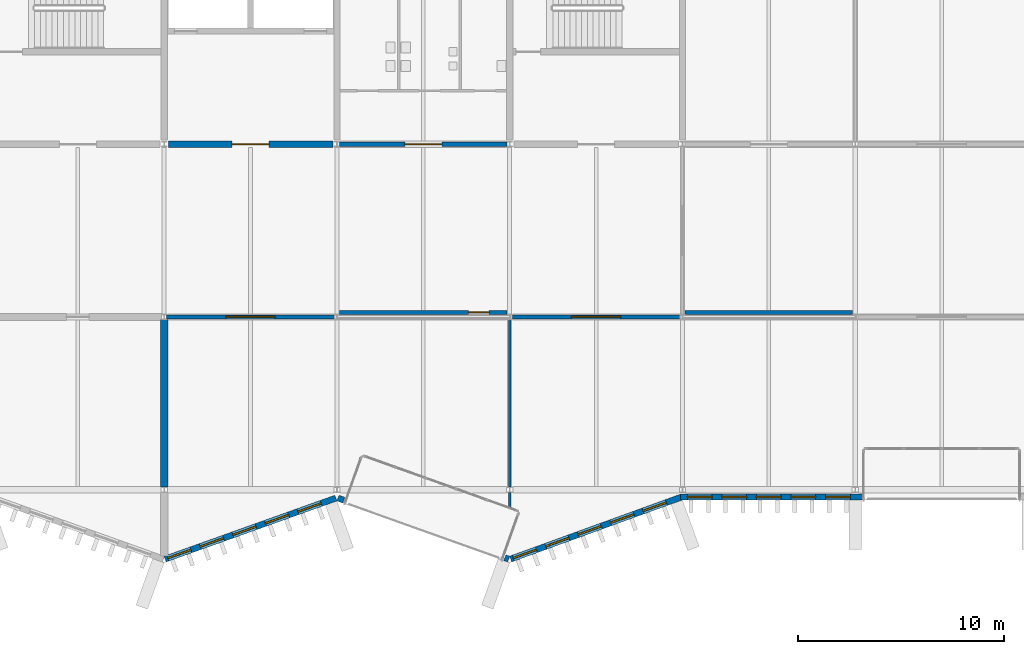
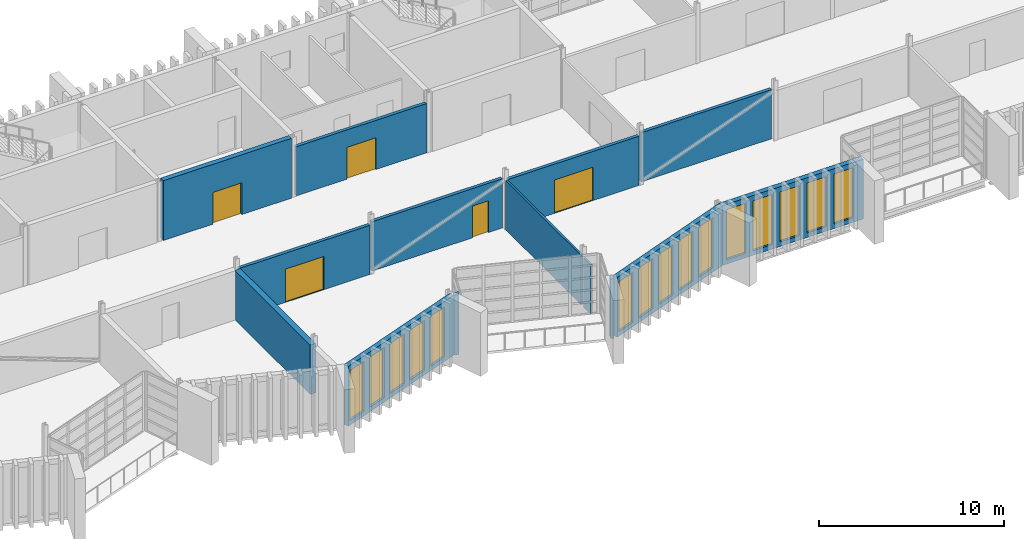
# One storey, part 55 of 88: 15 windows, 14 walls, 5 doors, 20 openings.
"""IFC4 building model written with IfcOpenShell, lengths in metres."""

from ifc_helpers import new_model, si_unit, direction, frame, frame_2d, origin, place, context, subcontext, project, spatial, rectangle, extrude, material, layer, layer_set, type_object, element, fill, save


model = new_model("IFC4")

# Units and contexts
model_context = context("Model", 3, precision=1e-05, world=origin(), true_north=direction((0.0, 1.0)))
body_context = subcontext(model_context, "Body", "Model", "MODEL_VIEW")
ifc_project = project(units=[si_unit("LENGTHUNIT", "METRE"), si_unit("AREAUNIT", "SQUARE_METRE"), si_unit("VOLUMEUNIT", "CUBIC_METRE"), si_unit("PLANEANGLEUNIT", "RADIAN"), si_unit("MASSUNIT", "GRAM", prefix="KILO")], contexts=[model_context])

# Site, building, storey
site_placement = place(None, origin())
site = spatial("IfcSite", under=ifc_project, at=site_placement, CompositionType="ELEMENT")
building_placement = place(site_placement, origin())
building = spatial("IfcBuilding", under=site, at=building_placement, Name="Cresset Court Congress Hotel", CompositionType="ELEMENT")
storey_placement = place(building_placement, frame((0.0, 0.0, 14.39990234375)))
storey = spatial("IfcBuildingStorey", under=building, at=storey_placement, Name="L03", CompositionType="ELEMENT", Elevation=14.39990234375)

# Wall
ifc_material_1 = material(Name="Double gypsum board leaves on steel studs with mineral wool", Category="steel")
ifc_layer_1 = layer(ifc_material_1, 0.35009765625)
ifc_layer_set_1 = layer_set([ifc_layer_1], Name="Acoustic double-leaf boardroom wall 350")
wall_type_1 = type_object("IfcWallType", Name="Acoustic double-leaf boardroom wall 350", PredefinedType="PARTITIONING", material=ifc_layer_set_1)
wall_1_placement = place(storey_placement, frame((42.0, 0.125, 0.0), z_axis=(0.0, 0.0, 1.0), x_axis=(0.0, 1.0, 0.0)))
element("IfcWall", 1, at=wall_1_placement, inside=storey, type_object=wall_type_1, Name="Boardroom acoustic wall", PredefinedType="PARTITIONING", context=body_context, shape_type="SweptSolid", body=[
    extrude(rectangle(XDim=8.14990234375, YDim=0.35009765625, at=frame_2d((4.074951171875, 0.0))), origin(), (0.0, 0.0, 1.0), 3.25),
])

# Wall, opening, door
ifc_material_2 = material(Name="Concrete C50", Category="concrete")
ifc_layer_2 = layer(ifc_material_2, 0.300048828125)
ifc_layer_set_2 = layer_set([ifc_layer_2], Name="Core wall 300 Concrete C50")
wall_type_2 = type_object("IfcWallType", Name="Core wall 300 Concrete C50", PredefinedType="SHEAR", material=ifc_layer_set_2)
wall_2_placement = place(storey_placement, frame((42.199951171875, 16.800048828125, 0.0), z_axis=(0.0, 0.0, 1.0), x_axis=(1.0, 0.0, 0.0)))
wall_2 = element("IfcWall", 2, at=wall_2_placement, inside=storey, type_object=wall_type_2, Name="Core wall LC-B1", PredefinedType="SHEAR", context=body_context, shape_type="SweptSolid", body=[
    extrude(rectangle(XDim=8.0, YDim=0.300048828125, at=frame_2d((4.0, 0.0))), origin(), (0.0, 0.0, 1.0), 3.9501953125),
])
opening_1_placement = place(wall_2_placement, frame((3.10009765625, 0.0, 0.0)))
opening_1 = element("IfcOpeningElement", 3, at=opening_1_placement, cuts=wall_2, Name="Opening DB-03-35", PredefinedType="OPENING", context=body_context, shape_type="SweptSolid", body=[
    extrude(rectangle(XDim=1.800048828125, YDim=2.10009765625, at=frame_2d((0.89990234375, 1.050048828125))), frame((0.0, 0.159912109375, 0.0), z_axis=(0.0, -1.0, 0.0), x_axis=(1.0, 0.0, 0.0)), (0.0, 0.0, 1.0), 0.320068359375),
])
ifc_material_3 = material(Name="Timber and steel frame", Category="steel")
door_type_1 = type_object("IfcDoorType", Name="Lobby fire door FD60 double 1800x2100", OperationType="DOUBLE_DOOR_SINGLE_SWING", PredefinedType="DOOR", material=ifc_material_3)
door_1_placement = place(opening_1_placement, origin())
door_1 = element("IfcDoor", 4, at=door_1_placement, inside=storey, type_object=door_type_1, Name="Lift lobby door LC-B1", OperationType="DOUBLE_DOOR_SINGLE_SWING", OverallHeight=2.10009765625, OverallWidth=1.800048828125, PredefinedType="DOOR", context=body_context, shape_type="SweptSolid", body=[
    extrude(rectangle(XDim=1.800048828125, YDim=2.10009765625, at=frame_2d((0.89990234375, 1.050048828125))), frame((0.0, 0.02490234375, 0.0), z_axis=(0.0, -1.0, 0.0), x_axis=(1.0, 0.0, 0.0)), (0.0, 0.0, 1.0), 0.050048828125),
])
fill(opening_1, door_1)

# Wall, openings, windows
ifc_material_4 = material(Name="Concrete C40", Category="concrete")
ifc_layer_3 = layer(ifc_material_4, 0.300048828125)
ifc_layer_set_3 = layer_set([ifc_layer_3], Name="External wall 300 Concrete C40")
wall_type_3 = type_object("IfcWallType", Name="External wall 300 Concrete C40", PredefinedType="SOLIDWALL", material=ifc_layer_set_3)
wall_3_placement = place(storey_placement, frame((67.10009765625, -0.35009765625, 0.0), z_axis=(0.0, 0.0, 1.0), x_axis=(1.0, 0.0, 0.0)))
wall_3 = element("IfcWall", 5, at=wall_3_placement, inside=storey, type_object=wall_type_3, Name="External wall", PredefinedType="SOLIDWALL", context=body_context, shape_type="SweptSolid", body=[
    extrude(rectangle(XDim=8.89990234375, YDim=0.300048828125, at=frame_2d((4.449951171875, 0.0))), origin(), (0.0, 0.0, 1.0), 3.9501953125),
])
opening_2_placement = place(wall_3_placement, frame((0.340087890625, 0.0, 0.300048828125)))
opening_2 = element("IfcOpeningElement", 6, at=opening_2_placement, cuts=wall_3, Name="Opening NB-03-01", PredefinedType="OPENING", context=body_context, shape_type="SweptSolid", body=[
    extrude(rectangle(XDim=1.199951171875, YDim=3.300048828125, at=frame_2d((0.60009765625, 1.64990234375))), frame((0.0, 0.159912109375, 0.0), z_axis=(0.0, -1.0, 0.0), x_axis=(1.0, 0.0, 0.0)), (0.0, 0.0, 1.0), 0.320068359375),
])
opening_3_placement = place(wall_3_placement, frame((2.02001953125, 0.0, 0.300048828125)))
opening_3 = element("IfcOpeningElement", 7, at=opening_3_placement, cuts=wall_3, Name="Opening NB-03-02", PredefinedType="OPENING", context=body_context, shape_type="SweptSolid", body=[
    extrude(rectangle(XDim=1.199951171875, YDim=3.300048828125, at=frame_2d((0.60009765625, 1.64990234375))), frame((0.0, 0.159912109375, 0.0), z_axis=(0.0, -1.0, 0.0), x_axis=(1.0, 0.0, 0.0)), (0.0, 0.0, 1.0), 0.320068359375),
])
opening_4_placement = place(wall_3_placement, frame((3.699951171875, 0.0, 0.300048828125)))
opening_4 = element("IfcOpeningElement", 8, at=opening_4_placement, cuts=wall_3, Name="Opening NB-03-03", PredefinedType="OPENING", context=body_context, shape_type="SweptSolid", body=[
    extrude(rectangle(XDim=1.199951171875, YDim=3.300048828125, at=frame_2d((0.60009765625, 1.64990234375))), frame((0.0, 0.159912109375, 0.0), z_axis=(0.0, -1.0, 0.0), x_axis=(1.0, 0.0, 0.0)), (0.0, 0.0, 1.0), 0.320068359375),
])
opening_5_placement = place(wall_3_placement, frame((5.3798828125, 0.0, 0.300048828125)))
opening_5 = element("IfcOpeningElement", 9, at=opening_5_placement, cuts=wall_3, Name="Opening NB-03-04", PredefinedType="OPENING", context=body_context, shape_type="SweptSolid", body=[
    extrude(rectangle(XDim=1.199951171875, YDim=3.300048828125, at=frame_2d((0.60009765625, 1.64990234375))), frame((0.0, 0.159912109375, 0.0), z_axis=(0.0, -1.0, 0.0), x_axis=(1.0, 0.0, 0.0)), (0.0, 0.0, 1.0), 0.320068359375),
])
opening_6_placement = place(wall_3_placement, frame((7.06005859375, 0.0, 0.300048828125)))
opening_6 = element("IfcOpeningElement", 10, at=opening_6_placement, cuts=wall_3, Name="Opening NB-03-05", PredefinedType="OPENING", context=body_context, shape_type="SweptSolid", body=[
    extrude(rectangle(XDim=1.199951171875, YDim=3.300048828125, at=frame_2d((0.60009765625, 1.64990234375))), frame((0.0, 0.159912109375, 0.0), z_axis=(0.0, -1.0, 0.0), x_axis=(1.0, 0.0, 0.0)), (0.0, 0.0, 1.0), 0.320068359375),
])
ifc_material_5 = material(Name="Aluminium frame with double glazing", Category="aluminium")
window_type = type_object("IfcWindowType", Name="Window 1200x3300", PartitioningType="TRIPLE_PANEL_VERTICAL", PredefinedType="WINDOW", material=ifc_material_5)
window_1_placement = place(opening_2_placement, origin())
window_1 = element("IfcWindow", 11, at=window_1_placement, inside=storey, type_object=window_type, Name="Window NB-03-01", OverallHeight=3.300048828125, OverallWidth=1.199951171875, PartitioningType="TRIPLE_PANEL_VERTICAL", PredefinedType="WINDOW", context=body_context, shape_type="SweptSolid", body=[
    extrude(rectangle(XDim=1.199951171875, YDim=3.300048828125, at=frame_2d((0.60009765625, 1.64990234375))), frame((0.0, 0.030029296875, 0.0), z_axis=(0.0, -1.0, 0.0), x_axis=(1.0, 0.0, 0.0)), (0.0, 0.0, 1.0), 0.06005859375),
])
fill(opening_2, window_1)
window_2_placement = place(opening_3_placement, origin())
window_2 = element("IfcWindow", 12, at=window_2_placement, inside=storey, type_object=window_type, Name="Window NB-03-02", OverallHeight=3.300048828125, OverallWidth=1.199951171875, PartitioningType="TRIPLE_PANEL_VERTICAL", PredefinedType="WINDOW", context=body_context, shape_type="SweptSolid", body=[
    extrude(rectangle(XDim=1.199951171875, YDim=3.300048828125, at=frame_2d((0.60009765625, 1.64990234375))), frame((0.0, 0.030029296875, 0.0), z_axis=(0.0, -1.0, 0.0), x_axis=(1.0, 0.0, 0.0)), (0.0, 0.0, 1.0), 0.06005859375),
])
fill(opening_3, window_2)
window_3_placement = place(opening_4_placement, origin())
window_3 = element("IfcWindow", 13, at=window_3_placement, inside=storey, type_object=window_type, Name="Window NB-03-03", OverallHeight=3.300048828125, OverallWidth=1.199951171875, PartitioningType="TRIPLE_PANEL_VERTICAL", PredefinedType="WINDOW", context=body_context, shape_type="SweptSolid", body=[
    extrude(rectangle(XDim=1.199951171875, YDim=3.300048828125, at=frame_2d((0.60009765625, 1.64990234375))), frame((0.0, 0.030029296875, 0.0), z_axis=(0.0, -1.0, 0.0), x_axis=(1.0, 0.0, 0.0)), (0.0, 0.0, 1.0), 0.06005859375),
])
fill(opening_4, window_3)
window_4_placement = place(opening_5_placement, origin())
window_4 = element("IfcWindow", 14, at=window_4_placement, inside=storey, type_object=window_type, Name="Window NB-03-04", OverallHeight=3.300048828125, OverallWidth=1.199951171875, PartitioningType="TRIPLE_PANEL_VERTICAL", PredefinedType="WINDOW", context=body_context, shape_type="SweptSolid", body=[
    extrude(rectangle(XDim=1.199951171875, YDim=3.300048828125, at=frame_2d((0.60009765625, 1.64990234375))), frame((0.0, 0.030029296875, 0.0), z_axis=(0.0, -1.0, 0.0), x_axis=(1.0, 0.0, 0.0)), (0.0, 0.0, 1.0), 0.06005859375),
])
fill(opening_5, window_4)
window_5_placement = place(opening_6_placement, origin())
window_5 = element("IfcWindow", 15, at=window_5_placement, inside=storey, type_object=window_type, Name="Window NB-03-05", OverallHeight=3.300048828125, OverallWidth=1.199951171875, PartitioningType="TRIPLE_PANEL_VERTICAL", PredefinedType="WINDOW", context=body_context, shape_type="SweptSolid", body=[
    extrude(rectangle(XDim=1.199951171875, YDim=3.300048828125, at=frame_2d((0.60009765625, 1.64990234375))), frame((0.0, 0.030029296875, 0.0), z_axis=(0.0, -1.0, 0.0), x_axis=(1.0, 0.0, 0.0)), (0.0, 0.0, 1.0), 0.06005859375),
])
fill(opening_6, window_5)

wall_4_placement = place(storey_placement, frame((42.050537109375, -3.372802734375, 0.0), z_axis=(0.0, 0.0, 1.0), x_axis=(0.941736270411, 0.336352191894, 0.0)))
wall_4 = element("IfcWall", 16, at=wall_4_placement, inside=storey, type_object=wall_type_3, Name="External wall", PredefinedType="SOLIDWALL", context=body_context, shape_type="SweptSolid", body=[
    extrude(rectangle(XDim=8.8125, YDim=0.300048828125, at=frame_2d((4.40625, 0.0))), origin(), (0.0, 0.0, 1.0), 3.9501953125),
])
opening_7_placement = place(wall_4_placement, frame((0.1328125, 0.0, 0.300048828125)))
opening_7 = element("IfcOpeningElement", 17, at=opening_7_placement, cuts=wall_4, Name="Opening NB-03-24", PredefinedType="OPENING", context=body_context, shape_type="SweptSolid", body=[
    extrude(rectangle(XDim=1.199951171875, YDim=3.300048828125, at=frame_2d((0.60009765625, 1.64990234375))), frame((0.0, 0.159912109375, 0.0), z_axis=(0.0, -1.0, 0.0), x_axis=(1.0, 0.0, 0.0)), (0.0, 0.0, 1.0), 0.320068359375),
])
opening_8_placement = place(wall_4_placement, frame((1.81298828125, 0.0, 0.300048828125)))
opening_8 = element("IfcOpeningElement", 18, at=opening_8_placement, cuts=wall_4, Name="Opening NB-03-25", PredefinedType="OPENING", context=body_context, shape_type="SweptSolid", body=[
    extrude(rectangle(XDim=1.199951171875, YDim=3.300048828125, at=frame_2d((0.60009765625, 1.64990234375))), frame((0.0, 0.159912109375, 0.0), z_axis=(0.0, -1.0, 0.0), x_axis=(1.0, 0.0, 0.0)), (0.0, 0.0, 1.0), 0.320068359375),
])
opening_9_placement = place(wall_4_placement, frame((3.492919921875, 0.0, 0.300048828125)))
opening_9 = element("IfcOpeningElement", 19, at=opening_9_placement, cuts=wall_4, Name="Opening NB-03-26", PredefinedType="OPENING", context=body_context, shape_type="SweptSolid", body=[
    extrude(rectangle(XDim=1.199951171875, YDim=3.300048828125, at=frame_2d((0.60009765625, 1.64990234375))), frame((0.0, 0.159912109375, 0.0), z_axis=(0.0, -1.0, 0.0), x_axis=(1.0, 0.0, 0.0)), (0.0, 0.0, 1.0), 0.320068359375),
])
opening_10_placement = place(wall_4_placement, frame((5.1728515625, 0.0, 0.300048828125)))
opening_10 = element("IfcOpeningElement", 20, at=opening_10_placement, cuts=wall_4, Name="Opening NB-03-27", PredefinedType="OPENING", context=body_context, shape_type="SweptSolid", body=[
    extrude(rectangle(XDim=1.199951171875, YDim=3.300048828125, at=frame_2d((0.60009765625, 1.64990234375))), frame((0.0, 0.159912109375, 0.0), z_axis=(0.0, -1.0, 0.0), x_axis=(1.0, 0.0, 0.0)), (0.0, 0.0, 1.0), 0.320068359375),
])
opening_11_placement = place(wall_4_placement, frame((6.852783203125, 0.0, 0.300048828125)))
opening_11 = element("IfcOpeningElement", 21, at=opening_11_placement, cuts=wall_4, Name="Opening NB-03-28", PredefinedType="OPENING", context=body_context, shape_type="SweptSolid", body=[
    extrude(rectangle(XDim=1.199951171875, YDim=3.300048828125, at=frame_2d((0.60009765625, 1.64990234375))), frame((0.0, 0.159912109375, 0.0), z_axis=(0.0, -1.0, 0.0), x_axis=(1.0, 0.0, 0.0)), (0.0, 0.0, 1.0), 0.320068359375),
])
window_6_placement = place(opening_7_placement, origin())
window_6 = element("IfcWindow", 22, at=window_6_placement, inside=storey, type_object=window_type, Name="Window NB-03-24", OverallHeight=3.300048828125, OverallWidth=1.199951171875, PartitioningType="TRIPLE_PANEL_VERTICAL", PredefinedType="WINDOW", context=body_context, shape_type="SweptSolid", body=[
    extrude(rectangle(XDim=1.199951171875, YDim=3.300048828125, at=frame_2d((0.60009765625, 1.64990234375))), frame((0.0, 0.030029296875, 0.0), z_axis=(0.0, -1.0, 0.0), x_axis=(1.0, 0.0, 0.0)), (0.0, 0.0, 1.0), 0.06005859375),
])
fill(opening_7, window_6)
window_7_placement = place(opening_8_placement, origin())
window_7 = element("IfcWindow", 23, at=window_7_placement, inside=storey, type_object=window_type, Name="Window NB-03-25", OverallHeight=3.300048828125, OverallWidth=1.199951171875, PartitioningType="TRIPLE_PANEL_VERTICAL", PredefinedType="WINDOW", context=body_context, shape_type="SweptSolid", body=[
    extrude(rectangle(XDim=1.199951171875, YDim=3.300048828125, at=frame_2d((0.60009765625, 1.64990234375))), frame((0.0, 0.030029296875, 0.0), z_axis=(0.0, -1.0, 0.0), x_axis=(1.0, 0.0, 0.0)), (0.0, 0.0, 1.0), 0.06005859375),
])
fill(opening_8, window_7)
window_8_placement = place(opening_9_placement, origin())
window_8 = element("IfcWindow", 24, at=window_8_placement, inside=storey, type_object=window_type, Name="Window NB-03-26", OverallHeight=3.300048828125, OverallWidth=1.199951171875, PartitioningType="TRIPLE_PANEL_VERTICAL", PredefinedType="WINDOW", context=body_context, shape_type="SweptSolid", body=[
    extrude(rectangle(XDim=1.199951171875, YDim=3.300048828125, at=frame_2d((0.60009765625, 1.64990234375))), frame((0.0, 0.030029296875, 0.0), z_axis=(0.0, -1.0, 0.0), x_axis=(1.0, 0.0, 0.0)), (0.0, 0.0, 1.0), 0.06005859375),
])
fill(opening_9, window_8)
window_9_placement = place(opening_10_placement, origin())
window_9 = element("IfcWindow", 25, at=window_9_placement, inside=storey, type_object=window_type, Name="Window NB-03-27", OverallHeight=3.300048828125, OverallWidth=1.199951171875, PartitioningType="TRIPLE_PANEL_VERTICAL", PredefinedType="WINDOW", context=body_context, shape_type="SweptSolid", body=[
    extrude(rectangle(XDim=1.199951171875, YDim=3.300048828125, at=frame_2d((0.60009765625, 1.64990234375))), frame((0.0, 0.030029296875, 0.0), z_axis=(0.0, -1.0, 0.0), x_axis=(1.0, 0.0, 0.0)), (0.0, 0.0, 1.0), 0.06005859375),
])
fill(opening_10, window_9)
window_10_placement = place(opening_11_placement, origin())
window_10 = element("IfcWindow", 26, at=window_10_placement, inside=storey, type_object=window_type, Name="Window NB-03-28", OverallHeight=3.300048828125, OverallWidth=1.199951171875, PartitioningType="TRIPLE_PANEL_VERTICAL", PredefinedType="WINDOW", context=body_context, shape_type="SweptSolid", body=[
    extrude(rectangle(XDim=1.199951171875, YDim=3.300048828125, at=frame_2d((0.60009765625, 1.64990234375))), frame((0.0, 0.030029296875, 0.0), z_axis=(0.0, -1.0, 0.0), x_axis=(1.0, 0.0, 0.0)), (0.0, 0.0, 1.0), 0.06005859375),
])
fill(opening_11, window_10)

# Walls
wall_5_placement = place(storey_placement, frame((50.450439453125, -0.40869140625, 0.0), z_axis=(0.0, 0.0, 1.0), x_axis=(0.941797147708, -0.336181695768, 0.0)))
element("IfcWall", 27, at=wall_5_placement, inside=storey, type_object=wall_type_3, Name="External wall", PredefinedType="SOLIDWALL", context=body_context, shape_type="SweptSolid", body=[
    extrude(rectangle(XDim=0.300048828125, YDim=0.300048828125, at=frame_2d((0.14990234375, 0.0))), origin(), (0.0, 0.0, 1.0), 3.9501953125),
])
wall_6_placement = place(storey_placement, frame((58.56787109375, -3.307861328125, 0.0), z_axis=(0.0, 0.0, 1.0), x_axis=(0.942000485661, -0.335611509061, 0.0)))
element("IfcWall", 28, at=wall_6_placement, inside=storey, type_object=wall_type_3, Name="External wall", PredefinedType="SOLIDWALL", context=body_context, shape_type="SweptSolid", body=[
    extrude(rectangle(XDim=0.192138671875, YDim=0.300048828125, at=frame_2d((0.09619140625, 0.0))), origin(), (0.0, 0.0, 1.0), 3.9501953125),
])

# Wall, openings, windows
wall_7_placement = place(storey_placement, frame((58.850341796875, -3.3720703125, 0.0), z_axis=(0.0, 0.0, 1.0), x_axis=(0.939953187971, 0.341303390584, 0.0)))
wall_7 = element("IfcWall", 29, at=wall_7_placement, inside=storey, type_object=wall_type_3, Name="External wall", PredefinedType="SOLIDWALL", context=body_context, shape_type="SweptSolid", body=[
    extrude(rectangle(XDim=8.828369140625, YDim=0.300048828125, at=frame_2d((4.4140625, 0.0))), origin(), (0.0, 0.0, 1.0), 3.9501953125),
])
opening_12_placement = place(wall_7_placement, frame((0.132080078125, 0.0, 0.300048828125)))
opening_12 = element("IfcOpeningElement", 30, at=opening_12_placement, cuts=wall_7, Name="Opening NB-03-29", PredefinedType="OPENING", context=body_context, shape_type="SweptSolid", body=[
    extrude(rectangle(XDim=1.199951171875, YDim=3.300048828125, at=frame_2d((0.60009765625, 1.64990234375))), frame((0.0, 0.159912109375, 0.0), z_axis=(0.0, -1.0, 0.0), x_axis=(1.0, 0.0, 0.0)), (0.0, 0.0, 1.0), 0.320068359375),
])
opening_13_placement = place(wall_7_placement, frame((1.81201171875, 0.0, 0.300048828125)))
opening_13 = element("IfcOpeningElement", 31, at=opening_13_placement, cuts=wall_7, Name="Opening NB-03-30", PredefinedType="OPENING", context=body_context, shape_type="SweptSolid", body=[
    extrude(rectangle(XDim=1.199951171875, YDim=3.300048828125, at=frame_2d((0.60009765625, 1.64990234375))), frame((0.0, 0.159912109375, 0.0), z_axis=(0.0, -1.0, 0.0), x_axis=(1.0, 0.0, 0.0)), (0.0, 0.0, 1.0), 0.320068359375),
])
opening_14_placement = place(wall_7_placement, frame((3.491943359375, 0.0, 0.300048828125)))
opening_14 = element("IfcOpeningElement", 32, at=opening_14_placement, cuts=wall_7, Name="Opening NB-03-31", PredefinedType="OPENING", context=body_context, shape_type="SweptSolid", body=[
    extrude(rectangle(XDim=1.199951171875, YDim=3.300048828125, at=frame_2d((0.60009765625, 1.64990234375))), frame((0.0, 0.159912109375, 0.0), z_axis=(0.0, -1.0, 0.0), x_axis=(1.0, 0.0, 0.0)), (0.0, 0.0, 1.0), 0.320068359375),
])
opening_15_placement = place(wall_7_placement, frame((5.172119140625, 0.0, 0.300048828125)))
opening_15 = element("IfcOpeningElement", 33, at=opening_15_placement, cuts=wall_7, Name="Opening NB-03-32", PredefinedType="OPENING", context=body_context, shape_type="SweptSolid", body=[
    extrude(rectangle(XDim=1.199951171875, YDim=3.300048828125, at=frame_2d((0.60009765625, 1.64990234375))), frame((0.0, 0.159912109375, 0.0), z_axis=(0.0, -1.0, 0.0), x_axis=(1.0, 0.0, 0.0)), (0.0, 0.0, 1.0), 0.320068359375),
])
opening_16_placement = place(wall_7_placement, frame((6.85205078125, 0.0, 0.300048828125)))
opening_16 = element("IfcOpeningElement", 34, at=opening_16_placement, cuts=wall_7, Name="Opening NB-03-33", PredefinedType="OPENING", context=body_context, shape_type="SweptSolid", body=[
    extrude(rectangle(XDim=1.199951171875, YDim=3.300048828125, at=frame_2d((0.60009765625, 1.64990234375))), frame((0.0, 0.159912109375, 0.0), z_axis=(0.0, -1.0, 0.0), x_axis=(1.0, 0.0, 0.0)), (0.0, 0.0, 1.0), 0.320068359375),
])
window_11_placement = place(opening_12_placement, origin())
window_11 = element("IfcWindow", 35, at=window_11_placement, inside=storey, type_object=window_type, Name="Window NB-03-29", OverallHeight=3.300048828125, OverallWidth=1.199951171875, PartitioningType="TRIPLE_PANEL_VERTICAL", PredefinedType="WINDOW", context=body_context, shape_type="SweptSolid", body=[
    extrude(rectangle(XDim=1.199951171875, YDim=3.300048828125, at=frame_2d((0.60009765625, 1.64990234375))), frame((0.0, 0.030029296875, 0.0), z_axis=(0.0, -1.0, 0.0), x_axis=(1.0, 0.0, 0.0)), (0.0, 0.0, 1.0), 0.06005859375),
])
fill(opening_12, window_11)
window_12_placement = place(opening_13_placement, origin())
window_12 = element("IfcWindow", 36, at=window_12_placement, inside=storey, type_object=window_type, Name="Window NB-03-30", OverallHeight=3.300048828125, OverallWidth=1.199951171875, PartitioningType="TRIPLE_PANEL_VERTICAL", PredefinedType="WINDOW", context=body_context, shape_type="SweptSolid", body=[
    extrude(rectangle(XDim=1.199951171875, YDim=3.300048828125, at=frame_2d((0.60009765625, 1.64990234375))), frame((0.0, 0.030029296875, 0.0), z_axis=(0.0, -1.0, 0.0), x_axis=(1.0, 0.0, 0.0)), (0.0, 0.0, 1.0), 0.06005859375),
])
fill(opening_13, window_12)
window_13_placement = place(opening_14_placement, origin())
window_13 = element("IfcWindow", 37, at=window_13_placement, inside=storey, type_object=window_type, Name="Window NB-03-31", OverallHeight=3.300048828125, OverallWidth=1.199951171875, PartitioningType="TRIPLE_PANEL_VERTICAL", PredefinedType="WINDOW", context=body_context, shape_type="SweptSolid", body=[
    extrude(rectangle(XDim=1.199951171875, YDim=3.300048828125, at=frame_2d((0.60009765625, 1.64990234375))), frame((0.0, 0.030029296875, 0.0), z_axis=(0.0, -1.0, 0.0), x_axis=(1.0, 0.0, 0.0)), (0.0, 0.0, 1.0), 0.06005859375),
])
fill(opening_14, window_13)
window_14_placement = place(opening_15_placement, origin())
window_14 = element("IfcWindow", 38, at=window_14_placement, inside=storey, type_object=window_type, Name="Window NB-03-32", OverallHeight=3.300048828125, OverallWidth=1.199951171875, PartitioningType="TRIPLE_PANEL_VERTICAL", PredefinedType="WINDOW", context=body_context, shape_type="SweptSolid", body=[
    extrude(rectangle(XDim=1.199951171875, YDim=3.300048828125, at=frame_2d((0.60009765625, 1.64990234375))), frame((0.0, 0.030029296875, 0.0), z_axis=(0.0, -1.0, 0.0), x_axis=(1.0, 0.0, 0.0)), (0.0, 0.0, 1.0), 0.06005859375),
])
fill(opening_15, window_14)
window_15_placement = place(opening_16_placement, origin())
window_15 = element("IfcWindow", 39, at=window_15_placement, inside=storey, type_object=window_type, Name="Window NB-03-33", OverallHeight=3.300048828125, OverallWidth=1.199951171875, PartitioningType="TRIPLE_PANEL_VERTICAL", PredefinedType="WINDOW", context=body_context, shape_type="SweptSolid", body=[
    extrude(rectangle(XDim=1.199951171875, YDim=3.300048828125, at=frame_2d((0.60009765625, 1.64990234375))), frame((0.0, 0.030029296875, 0.0), z_axis=(0.0, -1.0, 0.0), x_axis=(1.0, 0.0, 0.0)), (0.0, 0.0, 1.0), 0.06005859375),
])
fill(opening_16, window_15)

# Wall, opening, door
ifc_material_6 = material(Name="Gypsum board on steel studs", Category="steel")
ifc_layer_4 = layer(ifc_material_6, 0.199951171875)
ifc_layer_set_4 = layer_set([ifc_layer_4], Name="Foyer wall 200")
wall_type_4 = type_object("IfcWallType", Name="Foyer wall 200", PredefinedType="PARTITIONING", material=ifc_layer_set_4)
wall_8_placement = place(storey_placement, frame((42.125, 8.39990234375, 0.0), z_axis=(0.0, 0.0, 1.0), x_axis=(1.0, 0.0, 0.0)))
wall_8 = element("IfcWall", 40, at=wall_8_placement, inside=storey, type_object=wall_type_4, Name="Foyer wall", PredefinedType="PARTITIONING", context=body_context, shape_type="SweptSolid", body=[
    extrude(rectangle(XDim=8.14990234375, YDim=0.199951171875, at=frame_2d((4.074951171875, 0.0))), origin(), (0.0, 0.0, 1.0), 3.25),
])
opening_17_placement = place(wall_8_placement, frame((2.875, 0.0, 0.0)))
opening_17 = element("IfcOpeningElement", 41, at=opening_17_placement, cuts=wall_8, Name="Opening DB-03-05", PredefinedType="OPENING", context=body_context, shape_type="SweptSolid", body=[
    extrude(rectangle(XDim=2.39990234375, YDim=2.199951171875, at=frame_2d((1.199951171875, 1.10009765625))), frame((0.0, 0.10986328125, 0.0), z_axis=(0.0, -1.0, 0.0), x_axis=(1.0, 0.0, 0.0)), (0.0, 0.0, 1.0), 0.219970703125),
])
ifc_material_7 = material(Name="Timber and steel frame", Category="steel")
door_type_2 = type_object("IfcDoorType", Name="Fire door FD30 double 2400x2200", OperationType="DOUBLE_DOOR_SINGLE_SWING", PredefinedType="DOOR", material=ifc_material_7)
door_2_placement = place(opening_17_placement, origin())
door_2 = element("IfcDoor", 42, at=door_2_placement, inside=storey, type_object=door_type_2, Name="Meeting Room door", OperationType="DOUBLE_DOOR_SINGLE_SWING", OverallHeight=2.199951171875, OverallWidth=2.39990234375, PredefinedType="DOOR", context=body_context, shape_type="SweptSolid", body=[
    extrude(rectangle(XDim=2.39990234375, YDim=2.199951171875, at=frame_2d((1.199951171875, 1.10009765625))), frame((0.0, 0.02490234375, 0.0), z_axis=(0.0, -1.0, 0.0), x_axis=(1.0, 0.0, 0.0)), (0.0, 0.0, 1.0), 0.050048828125),
])
fill(opening_17, door_2)

wall_9_placement = place(storey_placement, frame((50.52490234375, 8.619384765625, 0.0), z_axis=(0.0, 0.0, 1.0), x_axis=(1.0, 0.0, 0.0)))
wall_9 = element("IfcWall", 43, at=wall_9_placement, inside=storey, type_object=wall_type_4, Name="Foyer wall", PredefinedType="PARTITIONING", context=body_context, shape_type="SweptSolid", body=[
    extrude(rectangle(XDim=8.150146484375, YDim=0.199951171875, at=frame_2d((4.0751953125, 0.0))), origin(), (0.0, 0.0, 1.0), 3.25),
])
opening_18_placement = place(wall_9_placement, frame((6.27490234375, 0.0, 0.0)))
opening_18 = element("IfcOpeningElement", 44, at=opening_18_placement, cuts=wall_9, Name="Opening DB-03-06", PredefinedType="OPENING", context=body_context, shape_type="SweptSolid", body=[
    extrude(rectangle(XDim=1.0, YDim=2.10009765625, at=frame_2d((0.5, 1.050048828125))), frame((0.0, 0.10986328125, 0.0), z_axis=(0.0, -1.0, 0.0), x_axis=(1.0, 0.0, 0.0)), (0.0, 0.0, 1.0), 0.219970703125),
])
ifc_material_8 = material(Name="Timber and steel frame", Category="steel")
door_type_3 = type_object("IfcDoorType", Name="Fire door FD30 single 1000x2100", OperationType="SINGLE_SWING_LEFT", PredefinedType="DOOR", material=ifc_material_8)
door_3_placement = place(opening_18_placement, origin())
door_3 = element("IfcDoor", 45, at=door_3_placement, inside=storey, type_object=door_type_3, Name="Meeting Room door", OperationType="SINGLE_SWING_LEFT", OverallHeight=2.10009765625, OverallWidth=1.0, PredefinedType="DOOR", context=body_context, shape_type="SweptSolid", body=[
    extrude(rectangle(XDim=1.0, YDim=2.10009765625, at=frame_2d((0.5, 1.050048828125))), frame((0.0, 0.02490234375, 0.0), z_axis=(0.0, -1.0, 0.0), x_axis=(1.0, 0.0, 0.0)), (0.0, 0.0, 1.0), 0.050048828125),
])
fill(opening_18, door_3)

wall_10_placement = place(storey_placement, frame((58.925048828125, 8.39990234375, 0.0), z_axis=(0.0, 0.0, 1.0), x_axis=(1.0, 0.0, 0.0)))
wall_10 = element("IfcWall", 46, at=wall_10_placement, inside=storey, type_object=wall_type_4, Name="Foyer wall", PredefinedType="PARTITIONING", context=body_context, shape_type="SweptSolid", body=[
    extrude(rectangle(XDim=8.14990234375, YDim=0.199951171875, at=frame_2d((4.074951171875, 0.0))), origin(), (0.0, 0.0, 1.0), 3.25),
])
opening_19_placement = place(wall_10_placement, frame((2.875, 0.0, 0.0)))
opening_19 = element("IfcOpeningElement", 47, at=opening_19_placement, cuts=wall_10, Name="Opening DB-03-07", PredefinedType="OPENING", context=body_context, shape_type="SweptSolid", body=[
    extrude(rectangle(XDim=2.39990234375, YDim=2.199951171875, at=frame_2d((1.199951171875, 1.10009765625))), frame((0.0, 0.10986328125, 0.0), z_axis=(0.0, -1.0, 0.0), x_axis=(1.0, 0.0, 0.0)), (0.0, 0.0, 1.0), 0.219970703125),
])
door_4_placement = place(opening_19_placement, origin())
door_4 = element("IfcDoor", 48, at=door_4_placement, inside=storey, type_object=door_type_2, Name="Meeting Room door", OperationType="DOUBLE_DOOR_SINGLE_SWING", OverallHeight=2.199951171875, OverallWidth=2.39990234375, PredefinedType="DOOR", context=body_context, shape_type="SweptSolid", body=[
    extrude(rectangle(XDim=2.39990234375, YDim=2.199951171875, at=frame_2d((1.199951171875, 1.10009765625))), frame((0.0, 0.02490234375, 0.0), z_axis=(0.0, -1.0, 0.0), x_axis=(1.0, 0.0, 0.0)), (0.0, 0.0, 1.0), 0.050048828125),
])
fill(opening_19, door_4)

# Wall
wall_11_placement = place(storey_placement, frame((67.324951171875, 8.619384765625, 0.0), z_axis=(0.0, 0.0, 1.0), x_axis=(1.0, 0.0, 0.0)))
element("IfcWall", 49, at=wall_11_placement, inside=storey, type_object=wall_type_4, Name="Foyer wall", PredefinedType="PARTITIONING", context=body_context, shape_type="SweptSolid", body=[
    extrude(rectangle(XDim=8.150146484375, YDim=0.199951171875, at=frame_2d((4.0751953125, 0.0))), origin(), (0.0, 0.0, 1.0), 3.25),
])

# Wall, opening, door
wall_12_placement = place(storey_placement, frame((50.52490234375, 16.800048828125, 0.0), z_axis=(0.0, 0.0, 1.0), x_axis=(1.0, 0.0, 0.0)))
wall_12 = element("IfcWall", 50, at=wall_12_placement, inside=storey, type_object=wall_type_4, Name="Foyer wall", PredefinedType="PARTITIONING", context=body_context, shape_type="SweptSolid", body=[
    extrude(rectangle(XDim=8.150146484375, YDim=0.199951171875, at=frame_2d((4.0751953125, 0.0))), origin(), (0.0, 0.0, 1.0), 3.25),
])
opening_20_placement = place(wall_12_placement, frame((3.175048828125, 0.0, 0.0)))
opening_20 = element("IfcOpeningElement", 51, at=opening_20_placement, cuts=wall_12, Name="Opening DB-03-19", PredefinedType="OPENING", context=body_context, shape_type="SweptSolid", body=[
    extrude(rectangle(XDim=1.800048828125, YDim=2.10009765625, at=frame_2d((0.89990234375, 1.050048828125))), frame((0.0, 0.10986328125, 0.0), z_axis=(0.0, -1.0, 0.0), x_axis=(1.0, 0.0, 0.0)), (0.0, 0.0, 1.0), 0.219970703125),
])
ifc_material_9 = material(Name="Timber and steel frame", Category="steel")
door_type_4 = type_object("IfcDoorType", Name="Fire door FD30 double 1800x2100", OperationType="DOUBLE_DOOR_SINGLE_SWING", PredefinedType="DOOR", material=ifc_material_9)
door_5_placement = place(opening_20_placement, origin())
door_5 = element("IfcDoor", 52, at=door_5_placement, inside=storey, type_object=door_type_4, Name="Toilet lobby door", OperationType="DOUBLE_DOOR_SINGLE_SWING", OverallHeight=2.10009765625, OverallWidth=1.800048828125, PredefinedType="DOOR", context=body_context, shape_type="SweptSolid", body=[
    extrude(rectangle(XDim=1.800048828125, YDim=2.10009765625, at=frame_2d((0.89990234375, 1.050048828125))), frame((0.0, 0.02490234375, 0.0), z_axis=(0.0, -1.0, 0.0), x_axis=(1.0, 0.0, 0.0)), (0.0, 0.0, 1.0), 0.050048828125),
])
fill(opening_20, door_5)

# Walls
ifc_material_10 = material(Name="Laminated timber panels", Category="wood")
ifc_layer_5 = layer(ifc_material_10, 0.125)
ifc_layer_set_5 = layer_set([ifc_layer_5], Name="Operable partition 125")
wall_type_5 = type_object("IfcWallType", Name="Operable partition 125", PredefinedType="MOVABLE", material=ifc_layer_set_5)
wall_13_placement = place(storey_placement, frame((58.800048828125, -0.895263671875, 0.0), z_axis=(0.0, 0.0, 1.0), x_axis=(0.0, 1.0, 0.0)))
element("IfcWall", 53, at=wall_13_placement, inside=storey, type_object=wall_type_5, Name="Operable partition", PredefinedType="MOVABLE", context=body_context, shape_type="SweptSolid", body=[
    extrude(rectangle(XDim=0.770263671875, YDim=0.125, at=frame_2d((0.38525390625, 0.0))), origin(), (0.0, 0.0, 1.0), 3.25),
])
wall_14_placement = place(storey_placement, frame((58.800048828125, 0.125, 0.0), z_axis=(0.0, 0.0, 1.0), x_axis=(0.0, 1.0, 0.0)))
element("IfcWall", 54, at=wall_14_placement, inside=storey, type_object=wall_type_5, Name="Operable partition", PredefinedType="MOVABLE", context=body_context, shape_type="SweptSolid", body=[
    extrude(rectangle(XDim=8.14990234375, YDim=0.125, at=frame_2d((4.074951171875, 0.0))), origin(), (0.0, 0.0, 1.0), 3.25),
])

save(model, "model.ifc")
